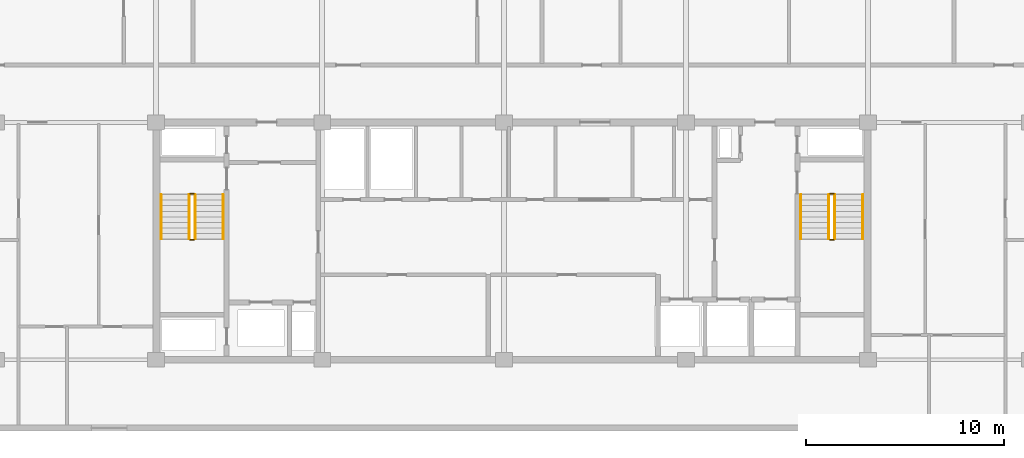
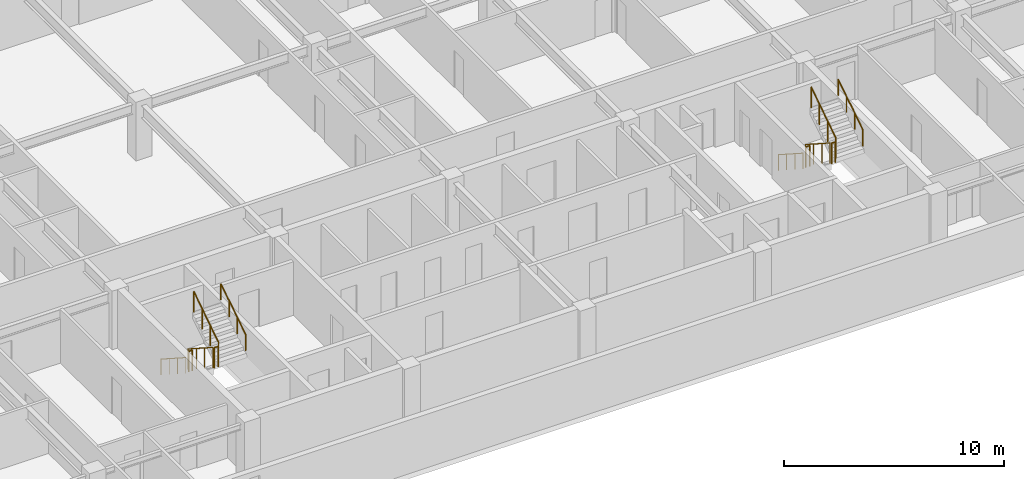
# One storey, part 21 of 22: 12 railings.
"""IFC4 building model written with IfcOpenShell, lengths in metres."""

from ifc_helpers import new_model, si_unit, direction, frame, origin, origin_2d, place, context, subcontext, project, spatial, circle, extrude, material, type_object, element, save


model = new_model("IFC4")

# Units and contexts
model_context = context("Model", 3, precision=1e-05, world=origin(), true_north=direction((0.0, 1.0)))
body_context = subcontext(model_context, "Body", "Model", "MODEL_VIEW")
ifc_project = project(units=[si_unit("LENGTHUNIT", "METRE"), si_unit("AREAUNIT", "SQUARE_METRE"), si_unit("VOLUMEUNIT", "CUBIC_METRE"), si_unit("PLANEANGLEUNIT", "RADIAN"), si_unit("MASSUNIT", "GRAM", prefix="KILO")], contexts=[model_context])

# Site, building, storey
site_placement = place(None, origin())
site = spatial("IfcSite", under=ifc_project, at=site_placement, CompositionType="ELEMENT")
building_placement = place(site_placement, origin())
building = spatial("IfcBuilding", under=site, at=building_placement, Name="Korimba Cascade Residences", CompositionType="ELEMENT")
storey_placement = place(building_placement, frame((0.0, 0.0, 191.35009765625)))
storey = spatial("IfcBuildingStorey", under=building, at=storey_placement, Name="L55", CompositionType="ELEMENT", Elevation=191.35009765625)

# Railings
ifc_material_1 = material(Name="Painted Steel Stairwell Guardrail", Category="steel")
railing_type_1 = type_object("IfcRailingType", Name="RLG-ST-GD1150", PredefinedType="GUARDRAIL", material=ifc_material_1)
railing_1_placement = place(storey_placement, frame((77.77001953125, 63.550048828125, 0.180419921875)))
element("IfcRailing", 1, at=railing_1_placement, inside=storey, type_object=railing_type_1, Name="L55 ST-W1 stair guard 1", PredefinedType="GUARDRAIL", context=body_context, shape_type="SweptSolid", body=[
    extrude(circle(Radius=0.02392578125, at=origin_2d()), frame((0.0, 0.0, 1.1259765625), z_axis=(0.0, -0.840394893359, 0.541974559565), x_axis=(1.0, 0.0, 0.0)), (0.0, 0.0, 1.0), 2.665283203125),
    extrude(circle(Radius=0.02099609375, at=origin_2d()), origin(), (0.0, 0.0, 1.0), 1.101806640625),
    extrude(circle(Radius=0.02099609375, at=origin_2d()), frame((0.0, -0.74658203125, 0.4814453125)), (0.0, 0.0, 1.0), 1.101806640625),
    extrude(circle(Radius=0.02099609375, at=origin_2d()), frame((0.0, -1.493408203125, 0.963134765625)), (0.0, 0.0, 1.0), 1.101806640625),
    extrude(circle(Radius=0.02099609375, at=origin_2d()), frame((0.0, -2.239990234375, 1.444580078125)), (0.0, 0.0, 1.0), 1.101806640625),
])
railing_2_placement = place(storey_placement, frame((77.820068359375, 61.260009765625, 1.625)))
element("IfcRailing", 2, at=railing_2_placement, inside=storey, type_object=railing_type_1, Name="L55 ST-W1 stair guard 2", PredefinedType="GUARDRAIL", context=body_context, shape_type="SweptSolid", body=[
    extrude(circle(Radius=0.02392578125, at=origin_2d()), frame((0.0, 0.0, 1.1259765625), z_axis=(1.0, 0.0, 0.0), x_axis=(0.0, 1.0, 0.0)), (0.0, 0.0, 1.0), 0.199951171875),
    extrude(circle(Radius=0.02099609375, at=origin_2d()), origin(), (0.0, 0.0, 1.0), 1.101806640625),
    extrude(circle(Radius=0.02099609375, at=origin_2d()), frame((0.199951171875, 0.0, 0.0)), (0.0, 0.0, 1.0), 1.101806640625),
])
railing_3_placement = place(storey_placement, frame((78.070068359375, 61.31005859375, 1.805419921875)))
element("IfcRailing", 3, at=railing_3_placement, inside=storey, type_object=railing_type_1, Name="L55 ST-W1 stair guard 3", PredefinedType="GUARDRAIL", context=body_context, shape_type="SweptSolid", body=[
    extrude(circle(Radius=0.02392578125, at=origin_2d()), frame((0.0, 0.0, 1.1259765625), z_axis=(0.0, 0.840394893359, 0.541974559565), x_axis=(-1.0, 0.0, 0.0)), (0.0, 0.0, 1.0), 2.665283203125),
    extrude(circle(Radius=0.02099609375, at=origin_2d()), origin(), (0.0, 0.0, 1.0), 1.101806640625),
    extrude(circle(Radius=0.02099609375, at=origin_2d()), frame((0.0, 0.74658203125, 0.4814453125)), (0.0, 0.0, 1.0), 1.101806640625),
    extrude(circle(Radius=0.02099609375, at=origin_2d()), frame((0.0, 1.493408203125, 0.963134765625)), (0.0, 0.0, 1.0), 1.101806640625),
    extrude(circle(Radius=0.02099609375, at=origin_2d()), frame((0.0, 2.239990234375, 1.444580078125)), (0.0, 0.0, 1.0), 1.101806640625),
])
railing_4_placement = place(storey_placement, frame((77.820068359375, 63.60009765625, 0.0)))
element("IfcRailing", 4, at=railing_4_placement, inside=storey, type_object=railing_type_1, Name="L55 ST-W1 stair guard 4", PredefinedType="GUARDRAIL", context=body_context, shape_type="SweptSolid", body=[
    extrude(circle(Radius=0.02392578125, at=origin_2d()), frame((0.0, 0.0, 1.1259765625), z_axis=(1.0, 0.0, 0.0), x_axis=(0.0, 1.0, 0.0)), (0.0, 0.0, 1.0), 0.199951171875),
    extrude(circle(Radius=0.02099609375, at=origin_2d()), origin(), (0.0, 0.0, 1.0), 1.101806640625),
    extrude(circle(Radius=0.02099609375, at=origin_2d()), frame((0.199951171875, 0.0, 0.0)), (0.0, 0.0, 1.0), 1.101806640625),
])
railing_5_placement = place(storey_placement, frame((110.1298828125, 63.550048828125, 0.180419921875)))
element("IfcRailing", 5, at=railing_5_placement, inside=storey, type_object=railing_type_1, Name="L55 ST-W2 stair guard 1", PredefinedType="GUARDRAIL", context=body_context, shape_type="SweptSolid", body=[
    extrude(circle(Radius=0.02392578125, at=origin_2d()), frame((0.0, 0.0, 1.1259765625), z_axis=(0.0, -0.840394893359, 0.541974559565), x_axis=(1.0, 0.0, 0.0)), (0.0, 0.0, 1.0), 2.665283203125),
    extrude(circle(Radius=0.02099609375, at=origin_2d()), origin(), (0.0, 0.0, 1.0), 1.101806640625),
    extrude(circle(Radius=0.02099609375, at=origin_2d()), frame((0.0, -0.74658203125, 0.4814453125)), (0.0, 0.0, 1.0), 1.101806640625),
    extrude(circle(Radius=0.02099609375, at=origin_2d()), frame((0.0, -1.493408203125, 0.963134765625)), (0.0, 0.0, 1.0), 1.101806640625),
    extrude(circle(Radius=0.02099609375, at=origin_2d()), frame((0.0, -2.239990234375, 1.444580078125)), (0.0, 0.0, 1.0), 1.101806640625),
])
railing_6_placement = place(storey_placement, frame((110.179931640625, 61.260009765625, 1.625)))
element("IfcRailing", 6, at=railing_6_placement, inside=storey, type_object=railing_type_1, Name="L55 ST-W2 stair guard 2", PredefinedType="GUARDRAIL", context=body_context, shape_type="SweptSolid", body=[
    extrude(circle(Radius=0.02392578125, at=origin_2d()), frame((0.0, 0.0, 1.1259765625), z_axis=(1.0, 0.0, 0.0), x_axis=(0.0, 1.0, 0.0)), (0.0, 0.0, 1.0), 0.199951171875),
    extrude(circle(Radius=0.02099609375, at=origin_2d()), origin(), (0.0, 0.0, 1.0), 1.101806640625),
    extrude(circle(Radius=0.02099609375, at=origin_2d()), frame((0.199951171875, 0.0, 0.0)), (0.0, 0.0, 1.0), 1.101806640625),
])
railing_7_placement = place(storey_placement, frame((110.429931640625, 61.31005859375, 1.805419921875)))
element("IfcRailing", 7, at=railing_7_placement, inside=storey, type_object=railing_type_1, Name="L55 ST-W2 stair guard 3", PredefinedType="GUARDRAIL", context=body_context, shape_type="SweptSolid", body=[
    extrude(circle(Radius=0.02392578125, at=origin_2d()), frame((0.0, 0.0, 1.1259765625), z_axis=(0.0, 0.840394893359, 0.541974559565), x_axis=(-1.0, 0.0, 0.0)), (0.0, 0.0, 1.0), 2.665283203125),
    extrude(circle(Radius=0.02099609375, at=origin_2d()), origin(), (0.0, 0.0, 1.0), 1.101806640625),
    extrude(circle(Radius=0.02099609375, at=origin_2d()), frame((0.0, 0.74658203125, 0.4814453125)), (0.0, 0.0, 1.0), 1.101806640625),
    extrude(circle(Radius=0.02099609375, at=origin_2d()), frame((0.0, 1.493408203125, 0.963134765625)), (0.0, 0.0, 1.0), 1.101806640625),
    extrude(circle(Radius=0.02099609375, at=origin_2d()), frame((0.0, 2.239990234375, 1.444580078125)), (0.0, 0.0, 1.0), 1.101806640625),
])
railing_8_placement = place(storey_placement, frame((110.179931640625, 63.60009765625, 0.0)))
element("IfcRailing", 8, at=railing_8_placement, inside=storey, type_object=railing_type_1, Name="L55 ST-W2 stair guard 4", PredefinedType="GUARDRAIL", context=body_context, shape_type="SweptSolid", body=[
    extrude(circle(Radius=0.02392578125, at=origin_2d()), frame((0.0, 0.0, 1.1259765625), z_axis=(1.0, 0.0, 0.0), x_axis=(0.0, 1.0, 0.0)), (0.0, 0.0, 1.0), 0.199951171875),
    extrude(circle(Radius=0.02099609375, at=origin_2d()), origin(), (0.0, 0.0, 1.0), 1.101806640625),
    extrude(circle(Radius=0.02099609375, at=origin_2d()), frame((0.199951171875, 0.0, 0.0)), (0.0, 0.0, 1.0), 1.101806640625),
])
ifc_material_2 = material(Name="Brushed Stainless Steel Handrail", Category="steel")
railing_type_2 = type_object("IfcRailingType", Name="RLG-ST-HR900", PredefinedType="HANDRAIL", material=ifc_material_2)
railing_9_placement = place(storey_placement, frame((76.35009765625, 63.550048828125, 0.36474609375)))
element("IfcRailing", 9, at=railing_9_placement, inside=storey, type_object=railing_type_2, Name="L55 ST-W1 stair handrail 1", PredefinedType="HANDRAIL", context=body_context, shape_type="SweptSolid", body=[
    extrude(circle(Radius=0.02392578125, at=origin_2d()), frame((0.0, 0.0, 0.8759765625), z_axis=(0.0, -0.840394893359, 0.541974559565), x_axis=(1.0, 0.0, 0.0)), (0.0, 0.0, 1.0), 2.665283203125),
    extrude(circle(Radius=0.02099609375, at=origin_2d()), origin(), (0.0, 0.0, 1.0), 0.851806640625),
    extrude(circle(Radius=0.02099609375, at=origin_2d()), frame((0.0, -0.74658203125, 0.4814453125)), (0.0, 0.0, 1.0), 0.851806640625),
    extrude(circle(Radius=0.02099609375, at=origin_2d()), frame((0.0, -1.493408203125, 0.963134765625)), (0.0, 0.0, 1.0), 0.851806640625),
    extrude(circle(Radius=0.02099609375, at=origin_2d()), frame((0.0, -2.239990234375, 1.444580078125)), (0.0, 0.0, 1.0), 0.851806640625),
])
railing_10_placement = place(storey_placement, frame((79.489990234375, 61.31005859375, 1.98974609375)))
element("IfcRailing", 10, at=railing_10_placement, inside=storey, type_object=railing_type_2, Name="L55 ST-W1 stair handrail 2", PredefinedType="HANDRAIL", context=body_context, shape_type="SweptSolid", body=[
    extrude(circle(Radius=0.02392578125, at=origin_2d()), frame((0.0, 0.0, 0.8759765625), z_axis=(0.0, 0.840394893359, 0.541974559565), x_axis=(-1.0, 0.0, 0.0)), (0.0, 0.0, 1.0), 2.665283203125),
    extrude(circle(Radius=0.02099609375, at=origin_2d()), origin(), (0.0, 0.0, 1.0), 0.851806640625),
    extrude(circle(Radius=0.02099609375, at=origin_2d()), frame((0.0, 0.74658203125, 0.4814453125)), (0.0, 0.0, 1.0), 0.851806640625),
    extrude(circle(Radius=0.02099609375, at=origin_2d()), frame((0.0, 1.493408203125, 0.963134765625)), (0.0, 0.0, 1.0), 0.851806640625),
    extrude(circle(Radius=0.02099609375, at=origin_2d()), frame((0.0, 2.239990234375, 1.444580078125)), (0.0, 0.0, 1.0), 0.851806640625),
])
railing_11_placement = place(storey_placement, frame((108.7099609375, 63.550048828125, 0.36474609375)))
element("IfcRailing", 11, at=railing_11_placement, inside=storey, type_object=railing_type_2, Name="L55 ST-W2 stair handrail 1", PredefinedType="HANDRAIL", context=body_context, shape_type="SweptSolid", body=[
    extrude(circle(Radius=0.02392578125, at=origin_2d()), frame((0.0, 0.0, 0.8759765625), z_axis=(0.0, -0.840394893359, 0.541974559565), x_axis=(1.0, 0.0, 0.0)), (0.0, 0.0, 1.0), 2.665283203125),
    extrude(circle(Radius=0.02099609375, at=origin_2d()), origin(), (0.0, 0.0, 1.0), 0.851806640625),
    extrude(circle(Radius=0.02099609375, at=origin_2d()), frame((0.0, -0.74658203125, 0.4814453125)), (0.0, 0.0, 1.0), 0.851806640625),
    extrude(circle(Radius=0.02099609375, at=origin_2d()), frame((0.0, -1.493408203125, 0.963134765625)), (0.0, 0.0, 1.0), 0.851806640625),
    extrude(circle(Radius=0.02099609375, at=origin_2d()), frame((0.0, -2.239990234375, 1.444580078125)), (0.0, 0.0, 1.0), 0.851806640625),
])
railing_12_placement = place(storey_placement, frame((111.85009765625, 61.31005859375, 1.98974609375)))
element("IfcRailing", 12, at=railing_12_placement, inside=storey, type_object=railing_type_2, Name="L55 ST-W2 stair handrail 2", PredefinedType="HANDRAIL", context=body_context, shape_type="SweptSolid", body=[
    extrude(circle(Radius=0.02392578125, at=origin_2d()), frame((0.0, 0.0, 0.8759765625), z_axis=(0.0, 0.840394893359, 0.541974559565), x_axis=(-1.0, 0.0, 0.0)), (0.0, 0.0, 1.0), 2.665283203125),
    extrude(circle(Radius=0.02099609375, at=origin_2d()), origin(), (0.0, 0.0, 1.0), 0.851806640625),
    extrude(circle(Radius=0.02099609375, at=origin_2d()), frame((0.0, 0.74658203125, 0.4814453125)), (0.0, 0.0, 1.0), 0.851806640625),
    extrude(circle(Radius=0.02099609375, at=origin_2d()), frame((0.0, 1.493408203125, 0.963134765625)), (0.0, 0.0, 1.0), 0.851806640625),
    extrude(circle(Radius=0.02099609375, at=origin_2d()), frame((0.0, 2.239990234375, 1.444580078125)), (0.0, 0.0, 1.0), 0.851806640625),
])

save(model, "model.ifc")
